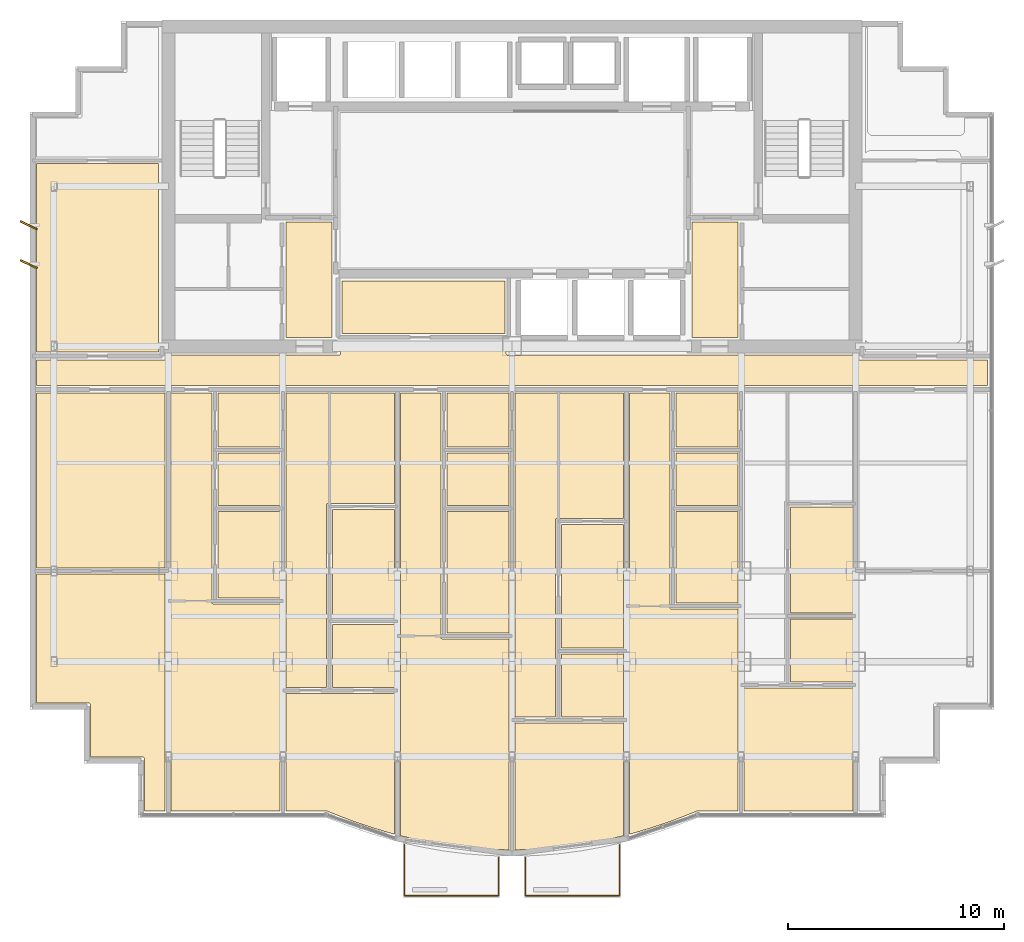
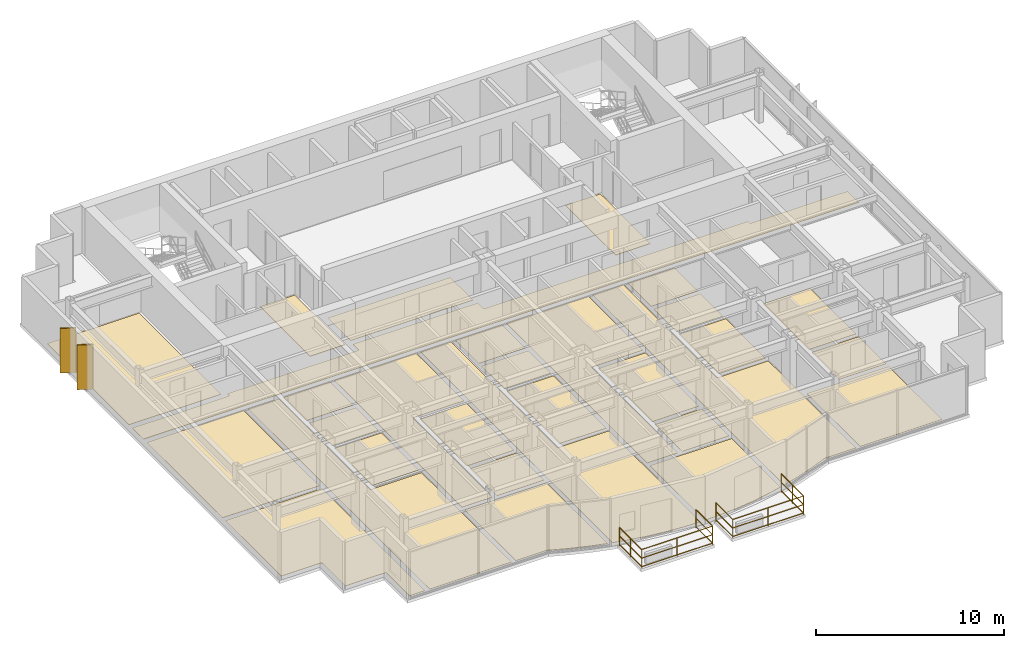
# One storey, part 12 of 13: 30 coverings, 2 railings, 2 shading devices.
"""IFC4 building model written with IfcOpenShell, lengths in metres."""

from ifc_helpers import new_model, si_unit, direction, frame, origin, origin_2d, place, context, subcontext, project, spatial, polyline, rectangle, circle, outline, extrude, source, transform, mapped, material, layer, layer_set, type_object, element, save


model = new_model("IFC4")

# Units and contexts
model_context = context("Model", 3, precision=1e-05, world=origin(), true_north=direction((0.0, 1.0)))
body_context = subcontext(model_context, "Body", "Model", "MODEL_VIEW")
ifc_project = project(units=[si_unit("LENGTHUNIT", "METRE"), si_unit("AREAUNIT", "SQUARE_METRE"), si_unit("VOLUMEUNIT", "CUBIC_METRE"), si_unit("PLANEANGLEUNIT", "RADIAN"), si_unit("MASSUNIT", "GRAM", prefix="KILO")], contexts=[model_context])

# Site, building, storey
site_placement = place(None, origin())
site = spatial("IfcSite", under=ifc_project, at=site_placement, CompositionType="ELEMENT")
building_placement = place(site_placement, origin())
building = spatial("IfcBuilding", under=site, at=building_placement, Name="Qianlan Lanfeng Residences", CompositionType="ELEMENT")
storey_placement = place(building_placement, frame((0.0, 0.0, 159.0)))
storey = spatial("IfcBuildingStorey", under=building, at=storey_placement, Name="L43", CompositionType="ELEMENT", Elevation=159.0)

# Coverings
ifc_material_1 = material(Name="Honed Taitung Granite Stone Flooring", Category="masonry")
ifc_layer_1 = layer(ifc_material_1, 0.030029296875)
ifc_layer_set_1 = layer_set([ifc_layer_1], Name="Honed Taitung Granite Stone Flooring")
covering_type_1 = type_object("IfcCoveringType", Name="FLR-STN-30", PredefinedType="FLOORING", material=ifc_layer_set_1)
covering_1_placement = place(storey_placement, origin())
element("IfcCovering", 1, at=covering_1_placement, inside=storey, type_object=covering_type_1, Name="L43 Residential Corridor Floor Finish", PredefinedType="FLOORING", context=body_context, shape_type="SweptSolid", body=[
    extrude(outline(polyline([(4.489990234375, 23.3798828125), (48.510009765625, 23.3798828125), (48.510009765625, 24.570068359375), (42.590087890625, 24.570068359375), (42.5830078125, 24.570068359375), (42.575927734375, 24.571044921875), (42.570068359375, 24.572998046875), (42.56298828125, 24.574951171875), (42.556884765625, 24.577880859375), (42.551025390625, 24.58203125), (42.5458984375, 24.5859375), (42.541015625, 24.591064453125), (42.535888671875, 24.595947265625), (42.531982421875, 24.60107421875), (42.528076171875, 24.60693359375), (42.52490234375, 24.613037109375), (42.52294921875, 24.6201171875), (42.52099609375, 24.6259765625), (42.52001953125, 24.633056640625), (42.52001953125, 24.639892578125), (42.52001953125, 24.800048828125), (26.300048828125, 24.800048828125), (26.29296875, 24.800048828125), (26.285888671875, 24.801025390625), (26.280029296875, 24.802978515625), (26.27294921875, 24.804931640625), (26.26708984375, 24.80810546875), (26.260986328125, 24.81201171875), (26.256103515625, 24.81591796875), (26.2509765625, 24.821044921875), (26.24609375, 24.825927734375), (26.241943359375, 24.8310546875), (26.238037109375, 24.8369140625), (26.235107421875, 24.843017578125), (26.23291015625, 24.85009765625), (26.23095703125, 24.85595703125), (26.22998046875, 24.863037109375), (26.22998046875, 24.8701171875), (26.22998046875, 25.429931640625), (18.570068359375, 25.429931640625), (18.570068359375, 24.8701171875), (18.570068359375, 24.863037109375), (18.569091796875, 24.85595703125), (18.56689453125, 24.85009765625), (18.56494140625, 24.843017578125), (18.56201171875, 24.8369140625), (18.55810546875, 24.8310546875), (18.553955078125, 24.825927734375), (18.549072265625, 24.821044921875), (18.5439453125, 24.81591796875), (18.5390625, 24.81201171875), (18.532958984375, 24.80810546875), (18.527099609375, 24.804931640625), (18.52001953125, 24.802978515625), (18.513916015625, 24.801025390625), (18.507080078125, 24.800048828125), (18.5, 24.800048828125), (10.47998046875, 24.800048828125), (10.47998046875, 24.639892578125), (10.47998046875, 24.633056640625), (10.47900390625, 24.6259765625), (10.47705078125, 24.6201171875), (10.47509765625, 24.613037109375), (10.471923828125, 24.60693359375), (10.468017578125, 24.60107421875), (10.464111328125, 24.595947265625), (10.458984375, 24.591064453125), (10.4541015625, 24.5859375), (10.448974609375, 24.58203125), (10.443115234375, 24.577880859375), (10.43701171875, 24.574951171875), (10.429931640625, 24.572998046875), (10.424072265625, 24.571044921875), (10.4169921875, 24.570068359375), (10.409912109375, 24.570068359375), (4.489990234375, 24.570068359375), (4.489990234375, 23.3798828125)])), origin(), (0.0, 0.0, 1.0), 0.030029296875),
])
covering_2_placement = place(storey_placement, origin())
element("IfcCovering", 2, at=covering_2_placement, inside=storey, type_object=covering_type_1, Name="L43 Lift Lobby Floor Finish", PredefinedType="FLOORING", context=body_context, shape_type="SweptSolid", body=[
    extrude(outline(polyline([(16.030029296875, 25.610107421875), (18.169921875, 25.610107421875), (18.169921875, 30.949951171875), (16.030029296875, 30.949951171875), (16.030029296875, 25.610107421875)])), origin(), (0.0, 0.0, 1.0), 0.030029296875),
])
covering_3_placement = place(storey_placement, origin())
element("IfcCovering", 3, at=covering_3_placement, inside=storey, type_object=covering_type_1, Name="L43 Lift Lobby Floor Finish", PredefinedType="FLOORING", context=body_context, shape_type="SweptSolid", body=[
    extrude(outline(polyline([(34.830078125, 25.610107421875), (36.969970703125, 25.610107421875), (36.969970703125, 30.949951171875), (34.830078125, 30.949951171875), (34.830078125, 25.610107421875)])), origin(), (0.0, 0.0, 1.0), 0.030029296875),
])
ifc_material_2 = material(Name="Slip-Resistant Porcelain Tile Flooring")
ifc_layer_2 = layer(ifc_material_2, 0.02001953125)
ifc_layer_set_2 = layer_set([ifc_layer_2], Name="Slip-Resistant Porcelain Tile Flooring")
covering_type_2 = type_object("IfcCoveringType", Name="FLR-TIL-20", PredefinedType="FLOORING", material=ifc_layer_set_2)
covering_4_placement = place(storey_placement, origin())
element("IfcCovering", 4, at=covering_4_placement, inside=storey, type_object=covering_type_2, Name="L43 Kitchen Floor Finish", PredefinedType="FLOORING", context=body_context, shape_type="SweptSolid", body=[
    extrude(outline(polyline([(12.889892578125, 17.840087890625), (15.760009765625, 17.840087890625), (15.760009765625, 20.260009765625), (12.889892578125, 20.260009765625), (12.889892578125, 17.840087890625)])), origin(), (0.0, 0.0, 1.0), 0.02001953125),
])
covering_5_placement = place(storey_placement, origin())
element("IfcCovering", 5, at=covering_5_placement, inside=storey, type_object=covering_type_2, Name="L43 Bathroom Floor Finish", PredefinedType="FLOORING", context=body_context, shape_type="SweptSolid", body=[
    extrude(outline(polyline([(12.889892578125, 20.5400390625), (15.760009765625, 20.5400390625), (15.760009765625, 23.030029296875), (12.889892578125, 23.030029296875), (12.889892578125, 20.5400390625)])), origin(), (0.0, 0.0, 1.0), 0.02001953125),
])
covering_6_placement = place(storey_placement, origin())
element("IfcCovering", 6, at=covering_6_placement, inside=storey, type_object=covering_type_2, Name="L43 En-Suite Bathroom Floor Finish", PredefinedType="FLOORING", context=body_context, shape_type="SweptSolid", body=[
    extrude(outline(polyline([(18.18994140625, 9.4140625), (21.070068359375, 9.4140625), (21.070068359375, 12.333984375), (18.18994140625, 12.333984375), (18.18994140625, 9.4140625)])), origin(), (0.0, 0.0, 1.0), 0.02001953125),
])
covering_7_placement = place(storey_placement, origin())
element("IfcCovering", 7, at=covering_7_placement, inside=storey, type_object=covering_type_2, Name="L43 Kitchen Floor Finish", PredefinedType="FLOORING", context=body_context, shape_type="SweptSolid", body=[
    extrude(outline(polyline([(23.489990234375, 17.840087890625), (26.360107421875, 17.840087890625), (26.360107421875, 20.260009765625), (23.489990234375, 20.260009765625), (23.489990234375, 17.840087890625)])), origin(), (0.0, 0.0, 1.0), 0.02001953125),
])
covering_8_placement = place(storey_placement, origin())
element("IfcCovering", 8, at=covering_8_placement, inside=storey, type_object=covering_type_2, Name="L43 Bathroom Floor Finish", PredefinedType="FLOORING", context=body_context, shape_type="SweptSolid", body=[
    extrude(outline(polyline([(23.489990234375, 20.5400390625), (26.360107421875, 20.5400390625), (26.360107421875, 23.030029296875), (23.489990234375, 23.030029296875), (23.489990234375, 20.5400390625)])), origin(), (0.0, 0.0, 1.0), 0.02001953125),
])
covering_9_placement = place(storey_placement, origin())
element("IfcCovering", 9, at=covering_9_placement, inside=storey, type_object=covering_type_2, Name="L43 En-Suite Bathroom Floor Finish", PredefinedType="FLOORING", context=body_context, shape_type="SweptSolid", body=[
    extrude(outline(polyline([(28.7900390625, 8.0390625), (31.669921875, 8.0390625), (31.669921875, 10.958984375), (28.7900390625, 10.958984375), (28.7900390625, 8.0390625)])), origin(), (0.0, 0.0, 1.0), 0.02001953125),
])
covering_10_placement = place(storey_placement, origin())
element("IfcCovering", 10, at=covering_10_placement, inside=storey, type_object=covering_type_2, Name="L43 Kitchen Floor Finish", PredefinedType="FLOORING", context=body_context, shape_type="SweptSolid", body=[
    extrude(outline(polyline([(34.090087890625, 17.840087890625), (36.9599609375, 17.840087890625), (36.9599609375, 20.260009765625), (34.090087890625, 20.260009765625), (34.090087890625, 17.840087890625)])), origin(), (0.0, 0.0, 1.0), 0.02001953125),
])
covering_11_placement = place(storey_placement, origin())
element("IfcCovering", 11, at=covering_11_placement, inside=storey, type_object=covering_type_2, Name="L43 Bathroom Floor Finish", PredefinedType="FLOORING", context=body_context, shape_type="SweptSolid", body=[
    extrude(outline(polyline([(34.090087890625, 20.5400390625), (36.9599609375, 20.5400390625), (36.9599609375, 23.030029296875), (34.090087890625, 23.030029296875), (34.090087890625, 20.5400390625)])), origin(), (0.0, 0.0, 1.0), 0.02001953125),
])
covering_12_placement = place(storey_placement, origin())
element("IfcCovering", 12, at=covering_12_placement, inside=storey, type_object=covering_type_2, Name="L43 En-Suite Bathroom Floor Finish", PredefinedType="FLOORING", context=body_context, shape_type="SweptSolid", body=[
    extrude(outline(polyline([(39.389892578125, 9.659912109375), (42.27001953125, 9.659912109375), (42.27001953125, 12.580078125), (39.389892578125, 12.580078125), (39.389892578125, 9.659912109375)])), origin(), (0.0, 0.0, 1.0), 0.02001953125),
])
ifc_material_3 = material(Name="Engineered Smoked Oak Timber Flooring", Category="wood")
ifc_layer_3 = layer(ifc_material_3, 0.02197265625)
ifc_layer_set_3 = layer_set([ifc_layer_3], Name="Engineered Smoked Oak Timber Flooring")
covering_type_3 = type_object("IfcCoveringType", Name="FLR-TIM-22", PredefinedType="FLOORING", material=ifc_layer_set_3)
covering_13_placement = place(storey_placement, origin())
element("IfcCovering", 13, at=covering_13_placement, inside=storey, type_object=covering_type_3, Name="L43 Gallery Salon Floor Finish", PredefinedType="FLOORING", context=body_context, shape_type="SweptSolid", body=[
    extrude(outline(polyline([(18.6298828125, 25.800048828125), (26.169921875, 25.800048828125), (26.169921875, 28.22998046875), (18.6298828125, 28.22998046875), (18.6298828125, 25.800048828125)])), origin(), (0.0, 0.0, 1.0), 0.02197265625),
])
covering_14_placement = place(storey_placement, origin())
element("IfcCovering", 14, at=covering_14_placement, inside=storey, type_object=covering_type_3, Name="L43 Living and Dining Room Floor Finish", PredefinedType="FLOORING", context=body_context, shape_type="SweptSolid", body=[
    extrude(outline(polyline([(15.77001953125, 3.68994140625), (15.77001953125, 13.280029296875), (12.679931640625, 13.280029296875), (12.673095703125, 13.280029296875), (12.666015625, 13.281005859375), (12.659912109375, 13.282958984375), (12.653076171875, 13.284912109375), (12.64697265625, 13.2880859375), (12.64111328125, 13.2919921875), (12.635986328125, 13.2958984375), (12.631103515625, 13.301025390625), (12.6259765625, 13.305908203125), (12.6220703125, 13.31103515625), (12.617919921875, 13.31689453125), (12.614990234375, 13.322998046875), (12.613037109375, 13.330078125), (12.611083984375, 13.3359375), (12.610107421875, 13.343017578125), (12.610107421875, 13.35009765625), (12.610107421875, 23.030029296875), (10.72998046875, 23.030029296875), (10.72998046875, 3.68994140625), (15.77001953125, 3.68994140625)])), origin(), (0.0, 0.0, 1.0), 0.02197265625),
])
covering_15_placement = place(storey_placement, origin())
element("IfcCovering", 15, at=covering_15_placement, inside=storey, type_object=covering_type_3, Name="L43 Villa Family Sitting Room Floor Finish", PredefinedType="FLOORING", context=body_context, shape_type="SweptSolid", body=[
    extrude(outline(polyline([(12.889892578125, 17.56005859375), (12.889892578125, 13.56005859375), (15.77001953125, 13.56005859375), (15.77001953125, 17.56005859375), (12.889892578125, 17.56005859375)])), origin(), (0.0, 0.0, 1.0), 0.02197265625),
])
covering_16_placement = place(storey_placement, origin())
element("IfcCovering", 16, at=covering_16_placement, inside=storey, type_object=covering_type_3, Name="L43 Private Study Floor Finish", PredefinedType="FLOORING", context=body_context, shape_type="SweptSolid", body=[
    extrude(outline(polyline([(18.18994140625, 12.614013671875), (21.070068359375, 12.614013671875), (21.070068359375, 17.64697265625), (18.18994140625, 17.64697265625), (18.18994140625, 12.614013671875)])), origin(), (0.0, 0.0, 1.0), 0.02197265625),
])
covering_17_placement = place(storey_placement, origin())
element("IfcCovering", 17, at=covering_17_placement, inside=storey, type_object=covering_type_3, Name="L43 Villa Family Sitting Room Floor Finish", PredefinedType="FLOORING", context=body_context, shape_type="SweptSolid", body=[
    extrude(outline(polyline([(16.030029296875, 9.4140625), (17.909912109375, 9.4140625), (17.909912109375, 17.85693359375), (17.909912109375, 17.864013671875), (17.910888671875, 17.87109375), (17.9130859375, 17.876953125), (17.9150390625, 17.884033203125), (17.91796875, 17.889892578125), (17.922119140625, 17.89599609375), (17.926025390625, 17.90087890625), (17.930908203125, 17.906005859375), (17.93603515625, 17.910888671875), (17.94091796875, 17.9150390625), (17.947021484375, 17.9189453125), (17.952880859375, 17.922119140625), (17.9599609375, 17.924072265625), (17.966064453125, 17.926025390625), (17.972900390625, 17.927001953125), (17.97998046875, 17.927001953125), (21.070068359375, 17.927001953125), (21.070068359375, 23.030029296875), (16.030029296875, 23.030029296875), (16.030029296875, 9.4140625)])), origin(), (0.0, 0.0, 1.0), 0.02197265625),
])
covering_18_placement = place(storey_placement, origin())
element("IfcCovering", 18, at=covering_18_placement, inside=storey, type_object=covering_type_3, Name="L43 Master Bedroom Floor Finish", PredefinedType="FLOORING", context=body_context, shape_type="SweptSolid", body=[
    extrude(outline(polyline([(16.030029296875, 9.134033203125), (16.030029296875, 3.68994140625), (17.922119140625, 3.68994140625), (17.927978515625, 3.68994140625), (17.93505859375, 3.68896484375), (17.94091796875, 3.68701171875), (17.947021484375, 3.68505859375), (19.056884765625, 3.25), (20.1220703125, 2.888916015625), (21.070068359375, 2.616943359375), (21.070068359375, 9.134033203125), (16.030029296875, 9.134033203125)])), origin(), (0.0, 0.0, 1.0), 0.02197265625),
])
covering_19_placement = place(storey_placement, origin())
element("IfcCovering", 19, at=covering_19_placement, inside=storey, type_object=covering_type_3, Name="L43 Living and Dining Room Floor Finish", PredefinedType="FLOORING", context=body_context, shape_type="SweptSolid", body=[
    extrude(outline(polyline([(26.3701171875, 1.89306640625), (26.3701171875, 11.658935546875), (23.280029296875, 11.658935546875), (23.27294921875, 11.658935546875), (23.26611328125, 11.659912109375), (23.260009765625, 11.662109375), (23.2529296875, 11.6640625), (23.2470703125, 11.6669921875), (23.240966796875, 11.6708984375), (23.236083984375, 11.675048828125), (23.23095703125, 11.679931640625), (23.22607421875, 11.68505859375), (23.221923828125, 11.68994140625), (23.218017578125, 11.696044921875), (23.215087890625, 11.701904296875), (23.212890625, 11.708984375), (23.2109375, 11.715087890625), (23.2099609375, 11.721923828125), (23.2099609375, 11.72900390625), (23.2099609375, 23.030029296875), (21.330078125, 23.030029296875), (21.330078125, 2.550048828125), (22.2490234375, 2.333984375), (23.31201171875, 2.139892578125), (24.375, 2.001953125), (25.43701171875, 1.91796875), (26.3701171875, 1.89306640625)])), origin(), (0.0, 0.0, 1.0), 0.02197265625),
])
covering_20_placement = place(storey_placement, origin())
element("IfcCovering", 20, at=covering_20_placement, inside=storey, type_object=covering_type_3, Name="L43 Villa Family Sitting Room Floor Finish", PredefinedType="FLOORING", context=body_context, shape_type="SweptSolid", body=[
    extrude(outline(polyline([(23.489990234375, 17.56005859375), (23.489990234375, 11.93896484375), (26.3701171875, 11.93896484375), (26.3701171875, 17.56005859375), (23.489990234375, 17.56005859375)])), origin(), (0.0, 0.0, 1.0), 0.02197265625),
])
covering_21_placement = place(storey_placement, origin())
element("IfcCovering", 21, at=covering_21_placement, inside=storey, type_object=covering_type_3, Name="L43 Private Study Floor Finish", PredefinedType="FLOORING", context=body_context, shape_type="SweptSolid", body=[
    extrude(outline(polyline([(28.7900390625, 11.239013671875), (31.669921875, 11.239013671875), (31.669921875, 16.958984375), (28.7900390625, 16.958984375), (28.7900390625, 11.239013671875)])), origin(), (0.0, 0.0, 1.0), 0.02197265625),
])
covering_22_placement = place(storey_placement, origin())
element("IfcCovering", 22, at=covering_22_placement, inside=storey, type_object=covering_type_3, Name="L43 Villa Family Sitting Room Floor Finish", PredefinedType="FLOORING", context=body_context, shape_type="SweptSolid", body=[
    extrude(outline(polyline([(26.6298828125, 8.0390625), (28.510009765625, 8.0390625), (28.510009765625, 17.1689453125), (28.510009765625, 17.176025390625), (28.510986328125, 17.18310546875), (28.512939453125, 17.18896484375), (28.514892578125, 17.196044921875), (28.51806640625, 17.201904296875), (28.52197265625, 17.2080078125), (28.52587890625, 17.212890625), (28.531005859375, 17.218017578125), (28.535888671875, 17.222900390625), (28.541015625, 17.22705078125), (28.547119140625, 17.23095703125), (28.552978515625, 17.23388671875), (28.56005859375, 17.236083984375), (28.56591796875, 17.238037109375), (28.572998046875, 17.239013671875), (28.580078125, 17.239013671875), (31.669921875, 17.239013671875), (31.669921875, 23.030029296875), (26.6298828125, 23.030029296875), (26.6298828125, 8.0390625)])), origin(), (0.0, 0.0, 1.0), 0.02197265625),
])
covering_23_placement = place(storey_placement, origin())
element("IfcCovering", 23, at=covering_23_placement, inside=storey, type_object=covering_type_3, Name="L43 Master Bedroom Floor Finish", PredefinedType="FLOORING", context=body_context, shape_type="SweptSolid", body=[
    extrude(outline(polyline([(26.6298828125, 7.759033203125), (26.6298828125, 1.89306640625), (27.56298828125, 1.91796875), (28.625, 2.0009765625), (29.68701171875, 2.139892578125), (30.7509765625, 2.333984375), (31.669921875, 2.550048828125), (31.669921875, 7.759033203125), (26.6298828125, 7.759033203125)])), origin(), (0.0, 0.0, 1.0), 0.02197265625),
])
covering_24_placement = place(storey_placement, origin())
element("IfcCovering", 24, at=covering_24_placement, inside=storey, type_object=covering_type_3, Name="L43 Living and Dining Room Floor Finish", PredefinedType="FLOORING", context=body_context, shape_type="SweptSolid", body=[
    extrude(outline(polyline([(36.969970703125, 3.68994140625), (36.969970703125, 13.033935546875), (33.8798828125, 13.033935546875), (33.873046875, 13.033935546875), (33.865966796875, 13.034912109375), (33.860107421875, 13.037109375), (33.85302734375, 13.0390625), (33.846923828125, 13.0419921875), (33.841064453125, 13.0458984375), (33.8359375, 13.050048828125), (33.8310546875, 13.054931640625), (33.825927734375, 13.06005859375), (33.822021484375, 13.06494140625), (33.818115234375, 13.071044921875), (33.81494140625, 13.076904296875), (33.81298828125, 13.083984375), (33.81103515625, 13.090087890625), (33.81005859375, 13.096923828125), (33.81005859375, 13.10400390625), (33.81005859375, 23.030029296875), (31.929931640625, 23.030029296875), (31.929931640625, 2.616943359375), (32.8779296875, 2.888916015625), (33.94189453125, 3.25), (35.052978515625, 3.68505859375), (35.05908203125, 3.68701171875), (35.06494140625, 3.68896484375), (35.072021484375, 3.68994140625), (35.077880859375, 3.68994140625), (36.969970703125, 3.68994140625)])), origin(), (0.0, 0.0, 1.0), 0.02197265625),
])
covering_25_placement = place(storey_placement, origin())
element("IfcCovering", 25, at=covering_25_placement, inside=storey, type_object=covering_type_3, Name="L43 Villa Family Sitting Room Floor Finish", PredefinedType="FLOORING", context=body_context, shape_type="SweptSolid", body=[
    extrude(outline(polyline([(34.090087890625, 17.56005859375), (34.090087890625, 13.31396484375), (36.969970703125, 13.31396484375), (36.969970703125, 17.56005859375), (34.090087890625, 17.56005859375)])), origin(), (0.0, 0.0, 1.0), 0.02197265625),
])
covering_26_placement = place(storey_placement, origin())
element("IfcCovering", 26, at=covering_26_placement, inside=storey, type_object=covering_type_3, Name="L43 Private Study Floor Finish", PredefinedType="FLOORING", context=body_context, shape_type="SweptSolid", body=[
    extrude(outline(polyline([(39.389892578125, 12.860107421875), (42.27001953125, 12.860107421875), (42.27001953125, 17.77001953125), (39.389892578125, 17.77001953125), (39.389892578125, 12.860107421875)])), origin(), (0.0, 0.0, 1.0), 0.02197265625),
])
covering_27_placement = place(storey_placement, origin())
element("IfcCovering", 27, at=covering_27_placement, inside=storey, type_object=covering_type_3, Name="L43 Master Bedroom Floor Finish", PredefinedType="FLOORING", context=body_context, shape_type="SweptSolid", body=[
    extrude(outline(polyline([(37.22998046875, 9.3798828125), (37.22998046875, 3.68994140625), (42.27001953125, 3.68994140625), (42.27001953125, 9.3798828125), (37.22998046875, 9.3798828125)])), origin(), (0.0, 0.0, 1.0), 0.02197265625),
])
covering_28_placement = place(storey_placement, origin())
element("IfcCovering", 28, at=covering_28_placement, inside=storey, type_object=covering_type_3, Name="L43 Sunroom Floor Finish", PredefinedType="FLOORING", context=body_context, shape_type="SweptSolid", body=[
    extrude(outline(polyline([(10.43994140625, 14.64990234375), (4.489990234375, 14.64990234375), (4.489990234375, 8.68994140625), (6.919921875, 8.68994140625), (6.927001953125, 8.68994140625), (6.93408203125, 8.68896484375), (6.93994140625, 8.68701171875), (6.947021484375, 8.68505859375), (6.952880859375, 8.681884765625), (6.958984375, 8.677978515625), (6.964111328125, 8.674072265625), (6.968994140625, 8.6689453125), (6.97412109375, 8.6640625), (6.97802734375, 8.658935546875), (6.98193359375, 8.653076171875), (6.985107421875, 8.64697265625), (6.987060546875, 8.639892578125), (6.989013671875, 8.634033203125), (6.989990234375, 8.626953125), (6.989990234375, 8.6201171875), (6.989990234375, 6.18994140625), (9.419921875, 6.18994140625), (9.427001953125, 6.18994140625), (9.43408203125, 6.18896484375), (9.43994140625, 6.18701171875), (9.447021484375, 6.18505859375), (9.452880859375, 6.181884765625), (9.458984375, 6.177978515625), (9.464111328125, 6.174072265625), (9.468994140625, 6.1689453125), (9.47412109375, 6.1640625), (9.47802734375, 6.158935546875), (9.48193359375, 6.153076171875), (9.485107421875, 6.14697265625), (9.487060546875, 6.139892578125), (9.489013671875, 6.134033203125), (9.489990234375, 6.126953125), (9.489990234375, 6.1201171875), (9.489990234375, 3.68994140625), (10.43994140625, 3.68994140625), (10.43994140625, 14.64990234375)])), origin(), (0.0, 0.0, 1.0), 0.02197265625),
])
covering_29_placement = place(storey_placement, origin())
element("IfcCovering", 29, at=covering_29_placement, inside=storey, type_object=covering_type_3, Name="L43 Family Sitting Room Floor Finish", PredefinedType="FLOORING", context=body_context, shape_type="SweptSolid", body=[
    extrude(outline(polyline([(10.43994140625, 23.030029296875), (4.489990234375, 23.030029296875), (4.489990234375, 14.949951171875), (10.43994140625, 14.949951171875), (10.43994140625, 23.030029296875)])), origin(), (0.0, 0.0, 1.0), 0.02197265625),
])
covering_30_placement = place(storey_placement, origin())
element("IfcCovering", 30, at=covering_30_placement, inside=storey, type_object=covering_type_3, Name="L43 Gallery Salon Floor Finish", PredefinedType="FLOORING", context=body_context, shape_type="SweptSolid", body=[
    extrude(outline(polyline([(10.14990234375, 33.64990234375), (4.489990234375, 33.64990234375), (4.489990234375, 24.929931640625), (10.14990234375, 24.929931640625), (10.14990234375, 33.64990234375)])), origin(), (0.0, 0.0, 1.0), 0.02197265625),
])

# Railings
ifc_material_4 = material(Name="Anodised Bronze Aluminium and Laminated Glass Guard Balustrade", Category="aluminium")
railing_type = type_object("IfcRailingType", Name="GR-EXT-1220", PredefinedType="BALUSTRADE", material=ifc_material_4)
railing_1_placement = place(storey_placement, frame((25.8798828125, 1.5458984375, 0.0)))
element("IfcRailing", 31, at=railing_1_placement, inside=storey, type_object=railing_type, Name="L43 Terrace Safety Guard GR-L43-SB-W", PredefinedType="BALUSTRADE", context=body_context, shape_type="SweptSolid", body=[
    extrude(circle(Radius=0.02490234375, at=origin_2d()), frame((0.0, 0.0, 0.0849609375), z_axis=(0.0, -1.0, 0.0), x_axis=(1.0, 0.0, 0.0)), (0.0, 0.0, 1.0), 1.77587890625),
    extrude(circle(Radius=0.02490234375, at=origin_2d()), frame((0.0, 0.0, 0.63427734375), z_axis=(0.0, -1.0, 0.0), x_axis=(1.0, 0.0, 0.0)), (0.0, 0.0, 1.0), 1.77587890625),
    extrude(circle(Radius=0.02490234375, at=origin_2d()), frame((0.0, 0.0, 1.19482421875), z_axis=(0.0, -1.0, 0.0), x_axis=(1.0, 0.0, 0.0)), (0.0, 0.0, 1.0), 1.77587890625),
    extrude(circle(Radius=0.02490234375, at=origin_2d()), frame((0.0, -1.77587890625, 0.0849609375), z_axis=(-1.0, 0.0, 0.0), x_axis=(0.0, -1.0, 0.0)), (0.0, 0.0, 1.0), 4.35986328125),
    extrude(circle(Radius=0.02490234375, at=origin_2d()), frame((0.0, -1.77587890625, 0.63427734375), z_axis=(-1.0, 0.0, 0.0), x_axis=(0.0, -1.0, 0.0)), (0.0, 0.0, 1.0), 4.35986328125),
    extrude(circle(Radius=0.02490234375, at=origin_2d()), frame((0.0, -1.77587890625, 1.19482421875), z_axis=(-1.0, 0.0, 0.0), x_axis=(0.0, -1.0, 0.0)), (0.0, 0.0, 1.0), 4.35986328125),
    extrude(circle(Radius=0.02490234375, at=origin_2d()), frame((-4.35986328125, -1.77587890625, 0.0849609375), z_axis=(0.0, 1.0, 0.0), x_axis=(-1.0, 0.0, 0.0)), (0.0, 0.0, 1.0), 2.365966796875),
    extrude(circle(Radius=0.02490234375, at=origin_2d()), frame((-4.35986328125, -1.77587890625, 0.63427734375), z_axis=(0.0, 1.0, 0.0), x_axis=(-1.0, 0.0, 0.0)), (0.0, 0.0, 1.0), 2.365966796875),
    extrude(circle(Radius=0.02490234375, at=origin_2d()), frame((-4.35986328125, -1.77587890625, 1.19482421875), z_axis=(0.0, 1.0, 0.0), x_axis=(-1.0, 0.0, 0.0)), (0.0, 0.0, 1.0), 2.365966796875),
    extrude(circle(Radius=0.02099609375, at=origin_2d()), origin(), (0.0, 0.0, 1.0), 1.169921875),
    extrude(circle(Radius=0.02099609375, at=origin_2d()), frame((0.0, -1.77587890625, 0.0)), (0.0, 0.0, 1.0), 1.169921875),
    extrude(circle(Radius=0.02099609375, at=origin_2d()), frame((-2.179931640625, -1.77587890625, 0.0)), (0.0, 0.0, 1.0), 1.169921875),
    extrude(circle(Radius=0.02099609375, at=origin_2d()), frame((-4.35986328125, -1.77587890625, 0.0)), (0.0, 0.0, 1.0), 1.169921875),
    extrude(circle(Radius=0.02099609375, at=origin_2d()), frame((-4.35986328125, -0.5927734375, 0.0)), (0.0, 0.0, 1.0), 1.169921875),
    extrude(circle(Radius=0.02099609375, at=origin_2d()), frame((-4.35986328125, 0.590087890625, 0.0)), (0.0, 0.0, 1.0), 1.169921875),
])
railing_2_placement = place(storey_placement, frame((31.47998046875, 2.135986328125, 0.0)))
element("IfcRailing", 32, at=railing_2_placement, inside=storey, type_object=railing_type, Name="L43 Terrace Safety Guard GR-L43-SB-E", PredefinedType="BALUSTRADE", context=body_context, shape_type="SweptSolid", body=[
    extrude(circle(Radius=0.02490234375, at=origin_2d()), frame((0.0, 0.0, 0.0849609375), z_axis=(0.0, -1.0, 0.0), x_axis=(1.0, 0.0, 0.0)), (0.0, 0.0, 1.0), 2.365966796875),
    extrude(circle(Radius=0.02490234375, at=origin_2d()), frame((0.0, 0.0, 0.63427734375), z_axis=(0.0, -1.0, 0.0), x_axis=(1.0, 0.0, 0.0)), (0.0, 0.0, 1.0), 2.365966796875),
    extrude(circle(Radius=0.02490234375, at=origin_2d()), frame((0.0, 0.0, 1.19482421875), z_axis=(0.0, -1.0, 0.0), x_axis=(1.0, 0.0, 0.0)), (0.0, 0.0, 1.0), 2.365966796875),
    extrude(circle(Radius=0.02490234375, at=origin_2d()), frame((0.0, -2.365966796875, 0.0849609375), z_axis=(-1.0, 0.0, 0.0), x_axis=(0.0, -1.0, 0.0)), (0.0, 0.0, 1.0), 4.35986328125),
    extrude(circle(Radius=0.02490234375, at=origin_2d()), frame((0.0, -2.365966796875, 0.63427734375), z_axis=(-1.0, 0.0, 0.0), x_axis=(0.0, -1.0, 0.0)), (0.0, 0.0, 1.0), 4.35986328125),
    extrude(circle(Radius=0.02490234375, at=origin_2d()), frame((0.0, -2.365966796875, 1.19482421875), z_axis=(-1.0, 0.0, 0.0), x_axis=(0.0, -1.0, 0.0)), (0.0, 0.0, 1.0), 4.35986328125),
    extrude(circle(Radius=0.02490234375, at=origin_2d()), frame((-4.35986328125, -2.365966796875, 0.0849609375), z_axis=(0.0, 1.0, 0.0), x_axis=(-1.0, 0.0, 0.0)), (0.0, 0.0, 1.0), 1.77587890625),
    extrude(circle(Radius=0.02490234375, at=origin_2d()), frame((-4.35986328125, -2.365966796875, 0.63427734375), z_axis=(0.0, 1.0, 0.0), x_axis=(-1.0, 0.0, 0.0)), (0.0, 0.0, 1.0), 1.77587890625),
    extrude(circle(Radius=0.02490234375, at=origin_2d()), frame((-4.35986328125, -2.365966796875, 1.19482421875), z_axis=(0.0, 1.0, 0.0), x_axis=(-1.0, 0.0, 0.0)), (0.0, 0.0, 1.0), 1.77587890625),
    extrude(circle(Radius=0.02099609375, at=origin_2d()), origin(), (0.0, 0.0, 1.0), 1.169921875),
    extrude(circle(Radius=0.02099609375, at=origin_2d()), frame((0.0, -1.18310546875, 0.0)), (0.0, 0.0, 1.0), 1.169921875),
    extrude(circle(Radius=0.02099609375, at=origin_2d()), frame((0.0, -2.365966796875, 0.0)), (0.0, 0.0, 1.0), 1.169921875),
    extrude(circle(Radius=0.02099609375, at=origin_2d()), frame((-2.179931640625, -2.365966796875, 0.0)), (0.0, 0.0, 1.0), 1.169921875),
    extrude(circle(Radius=0.02099609375, at=origin_2d()), frame((-4.35986328125, -2.365966796875, 0.0)), (0.0, 0.0, 1.0), 1.169921875),
    extrude(circle(Radius=0.02099609375, at=origin_2d()), frame((-4.35986328125, -0.590087890625, 0.0)), (0.0, 0.0, 1.0), 1.169921875),
])

# Shading devices
ifc_material_5 = material(Name="Anodised Bronze Aluminium Solar Fin", Category="aluminium")
shading_device_type = type_object("IfcShadingDeviceType", Name="FIN-BRZ-850", PredefinedType="SHUTTER", material=ifc_material_5)
shared_shape = source(origin(), body_context, "Body", "SweptSolid", [
    extrude(rectangle(XDim=0.85009765625, YDim=0.080078125, at=origin_2d()), origin(), (0.0, 0.0, 1.0), 2.89990234375),
])
for number, where, z_axis, x_axis, name in (
    (33, (4.1298828125, 29.0, 0.0), (0.0, 0.0, 1.0), (0.898794046299, -0.438371146789, 0.0), "L43 Raked Bronze Solar Fin W1"),
    (34, (4.1298828125, 30.800048828125, 0.0), (0.0, 0.0, 1.0), (0.898794046299, -0.438371146789, 0.0), "L43 Raked Bronze Solar Fin W2"),
):
    element("IfcShadingDevice", number, at=place(storey_placement, frame(where, z_axis=z_axis, x_axis=x_axis)), inside=storey, type_object=shading_device_type, Name=name, PredefinedType="SHUTTER", context=body_context, shape_type="MappedRepresentation", body=[
        mapped(shared_shape, transform((0.0, 0.0, 0.0), scale=1.0)),
    ])

save(model, "model.ifc")
